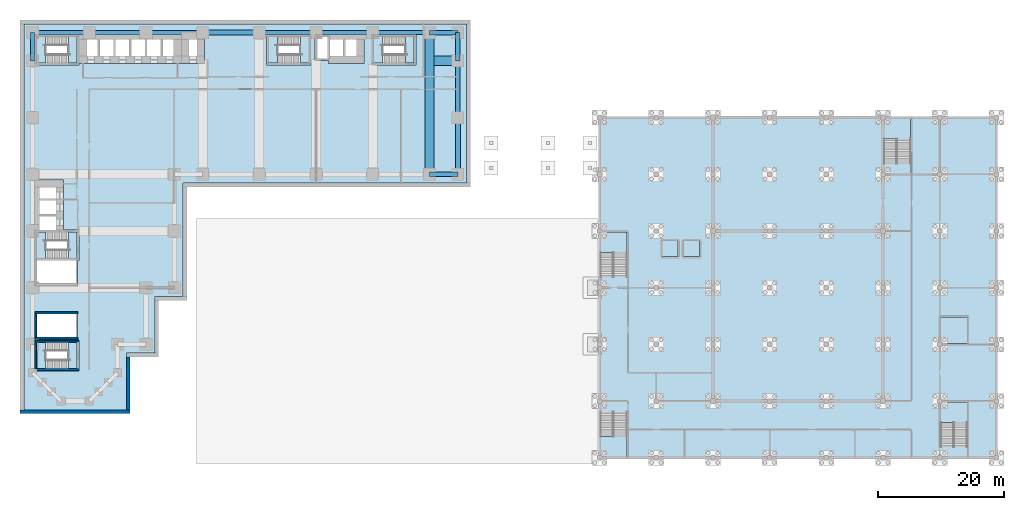
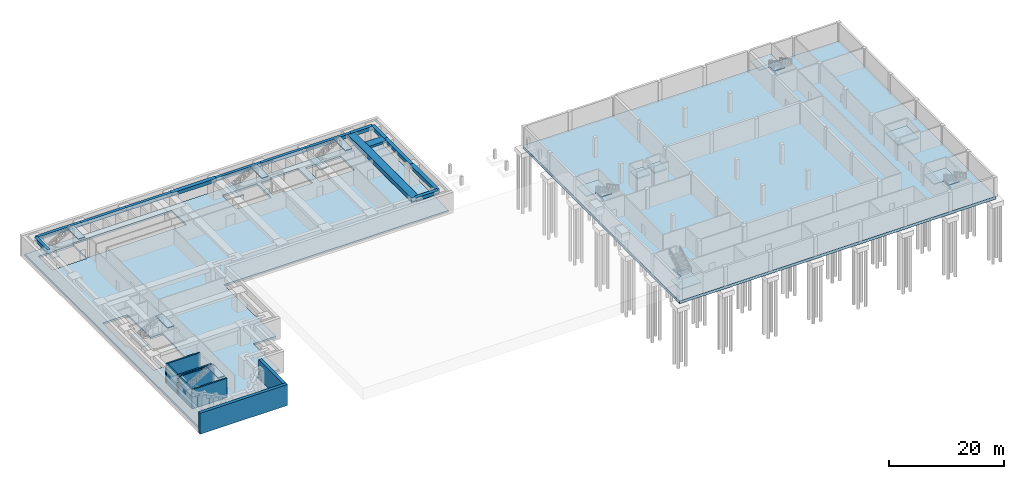
# One storey, part 3 of 12: 19 slabs, 15 beams, 8 walls, 9 elements without a shape of their own.
"""IFC4 building model written with IfcOpenShell, lengths in metres."""

from ifc_helpers import new_model, si_unit, direction, frame, frame_2d, origin, origin_2d, place, context, subcontext, project, spatial, polyline, rectangle, outline, extrude, material, layer, layer_set, material_profile, profile_set, type_object, element, aggregate, save


model = new_model("IFC4")

# Units and contexts
model_context = context("Model", 3, precision=1e-05, world=origin(), true_north=direction((0.0, 1.0)))
body_context = subcontext(model_context, "Body", "Model", "MODEL_VIEW")
ifc_project = project(units=[si_unit("LENGTHUNIT", "METRE"), si_unit("AREAUNIT", "SQUARE_METRE"), si_unit("VOLUMEUNIT", "CUBIC_METRE"), si_unit("PLANEANGLEUNIT", "RADIAN"), si_unit("MASSUNIT", "GRAM", prefix="KILO")], contexts=[model_context])

# Site, building, storey
site_placement = place(None, origin())
site = spatial("IfcSite", under=ifc_project, at=site_placement, CompositionType="ELEMENT")
building_placement = place(site_placement, origin())
building = spatial("IfcBuilding", under=site, at=building_placement, Name="Firuza Court", CompositionType="ELEMENT")
storey_placement = place(building_placement, frame((0.0, 0.0, -4.5)))
storey = spatial("IfcBuildingStorey", under=building, at=storey_placement, Name="B1", CompositionType="ELEMENT", Elevation=-4.5)

# Beams
ifc_material_1 = material(Name="Concrete C40/50", Category="concrete")
ifc_material_profile_1 = material_profile(ifc_material_1, rectangle(XDim=1.5, YDim=0.449951171875, at=origin_2d()), Name="RC 1500x450")
ifc_profile_set_1 = profile_set([ifc_material_profile_1], Name="Concrete C40/50")
beam_type_1 = type_object("IfcBeamType", Name="Band beam RC 1500x450 C40/50", PredefinedType="BEAM", material=ifc_profile_set_1)
beam_1_placement = place(storey_placement, frame((67.5, 54.0, 3.824951171875), z_axis=(-1.0, 0.0, 0.0), x_axis=(0.0, -1.0, 0.0)))
element("IfcBeam", 1, at=beam_1_placement, inside=storey, type_object=beam_type_1, Name="Band beam FB5 level L00", PredefinedType="BEAM", context=body_context, shape_type="SweptSolid", body=[
    extrude(rectangle(XDim=1.5, YDim=0.449951171875, at=origin_2d()), origin(), (0.0, 0.0, 1.0), 3.75),
])
ifc_material_2 = material(Name="Concrete C40/50", Category="concrete")
ifc_material_profile_2 = material_profile(ifc_material_2, rectangle(XDim=1.5, YDim=0.89990234375, at=origin_2d()), Name="RC 1500x900")
ifc_profile_set_2 = profile_set([ifc_material_profile_2], Name="Concrete C40/50")
beam_type_2 = type_object("IfcBeamType", Name="Band beam RC 1500x900 C40/50", PredefinedType="BEAM", material=ifc_profile_set_2)
beam_2_placement = place(storey_placement, frame((63.0, 36.0, 3.60009765625), z_axis=(0.0, 1.0, 0.0), x_axis=(-1.0, 0.0, 0.0)))
element("IfcBeam", 2, at=beam_2_placement, inside=storey, type_object=beam_type_2, Name="Band beam FB2 level L00", PredefinedType="BEAM", context=body_context, shape_type="SweptSolid", body=[
    extrude(rectangle(XDim=1.5, YDim=0.89990234375, at=origin_2d()), origin(), (0.0, 0.0, 1.0), 22.5),
])
ifc_material_3 = material(Name="Concrete C40/50", Category="concrete")
ifc_material_profile_3 = material_profile(ifc_material_3, rectangle(XDim=0.60009765625, YDim=0.75, at=origin_2d()), Name="RC 600x750")
ifc_profile_set_3 = profile_set([ifc_material_profile_3], Name="Concrete C40/50")
beam_type_3 = type_object("IfcBeamType", Name="Spandrel beam RC 600x750 C40/50", PredefinedType="BEAM", material=ifc_profile_set_3)
beam_3_placement = place(storey_placement, frame((0.0, 58.5, 3.675048828125), z_axis=(0.0, -1.0, 0.0), x_axis=(1.0, 0.0, 0.0)))
element("IfcBeam", 3, at=beam_3_placement, inside=storey, type_object=beam_type_3, Name="Spandrel beam SP4 level L00", PredefinedType="BEAM", context=body_context, shape_type="SweptSolid", body=[
    extrude(rectangle(XDim=0.60009765625, YDim=0.75, at=origin_2d()), origin(), (0.0, 0.0, 1.0), 4.5),
])
for number, where, z_axis, x_axis, name in (
    (4, (9.0, 58.5, 3.675048828125), (-1.0, 0.0, 0.0), (0.0, -1.0, 0.0), "Spandrel beam SP4 level L00"),
    (5, (18.0, 58.5, 3.675048828125), (-1.0, 0.0, 0.0), (0.0, -1.0, 0.0), "Spandrel beam SP4 level L00"),
    (6, (27.0, 58.5, 3.675048828125), (-1.0, 0.0, 0.0), (0.0, -1.0, 0.0), "Spandrel beam SP4 level L00"),
    (7, (45.0, 58.5, 3.675048828125), (-1.0, 0.0, 0.0), (0.0, -1.0, 0.0), "Spandrel beam SP4 level L00"),
    (8, (54.0, 58.5, 3.675048828125), (-1.0, 0.0, 0.0), (0.0, -1.0, 0.0), "Spandrel beam SP4 level L00"),
    (9, (63.0, 58.5, 3.675048828125), (-1.0, 0.0, 0.0), (0.0, -1.0, 0.0), "Spandrel beam SP4 level L00"),
):
    element("IfcBeam", number, at=place(storey_placement, frame(where, z_axis=z_axis, x_axis=x_axis)), inside=storey, type_object=beam_type_3, Name=name, PredefinedType="BEAM", context=body_context, shape_type="SweptSolid", body=[
        extrude(rectangle(XDim=0.60009765625, YDim=0.75, at=origin_2d()), origin(), (0.0, 0.0, 1.0), 9.0),
    ])
ifc_material_4 = material(Name="Concrete C40/50", Category="concrete")
ifc_material_profile_4 = material_profile(ifc_material_4, rectangle(XDim=0.699951171875, YDim=0.75, at=origin_2d()), Name="RC 700x750")
ifc_profile_set_4 = profile_set([ifc_material_profile_4], Name="Concrete C40/50")
beam_type_4 = type_object("IfcBeamType", Name="Spandrel beam RC 700x750 C40/50", PredefinedType="BEAM", material=ifc_profile_set_4)
beam_4_placement = place(storey_placement, frame((63.0, 36.0, 3.675048828125), z_axis=(1.0, 0.0, 0.0), x_axis=(0.0, 1.0, 0.0)))
element("IfcBeam", 10, at=beam_4_placement, inside=storey, type_object=beam_type_4, Name="Spandrel beam SP5 level L00", PredefinedType="BEAM", context=body_context, shape_type="SweptSolid", body=[
    extrude(rectangle(XDim=0.699951171875, YDim=0.75, at=origin_2d()), origin(), (0.0, 0.0, 1.0), 4.5),
])
beam_5_placement = place(storey_placement, frame((67.5, 45.0, 3.675048828125), z_axis=(0.0, 1.0, 0.0), x_axis=(-1.0, 0.0, 0.0)))
element("IfcBeam", 11, at=beam_5_placement, inside=storey, type_object=beam_type_4, Name="Spandrel beam SP5 level L00", PredefinedType="BEAM", context=body_context, shape_type="SweptSolid", body=[
    extrude(rectangle(XDim=0.699951171875, YDim=0.75, at=origin_2d()), origin(), (0.0, 0.0, 1.0), 9.0),
])
for number, where, z_axis, x_axis, name in (
    (12, (67.5, 54.0, 3.675048828125), (0.0, 1.0, 0.0), (-1.0, 0.0, 0.0), "Spandrel beam SP5 level L00"),
    (13, (67.5, 58.5, 3.675048828125), (-1.0, 0.0, 0.0), (0.0, -1.0, 0.0), "Spandrel beam SP5 level L00"),
):
    element("IfcBeam", number, at=place(storey_placement, frame(where, z_axis=z_axis, x_axis=x_axis)), inside=storey, type_object=beam_type_4, Name=name, PredefinedType="BEAM", context=body_context, shape_type="SweptSolid", body=[
        extrude(rectangle(XDim=0.699951171875, YDim=0.75, at=origin_2d()), origin(), (0.0, 0.0, 1.0), 4.5),
    ])
ifc_material_5 = material(Name="Concrete C40/50", Category="concrete")
ifc_material_profile_5 = material_profile(ifc_material_5, rectangle(XDim=0.800048828125, YDim=0.75, at=origin_2d()), Name="RC 800x750")
ifc_profile_set_5 = profile_set([ifc_material_profile_5], Name="Concrete C40/50")
beam_type_5 = type_object("IfcBeamType", Name="Spandrel beam RC 800x750 C40/50", PredefinedType="BEAM", material=ifc_profile_set_5)
for number, where, z_axis, x_axis, name in (
    (14, (36.0, 58.5, 3.675048828125), (-1.0, 0.0, 0.0), (0.0, -1.0, 0.0), "Spandrel beam SP6 level L00"),
    (15, (67.5, 36.0, 3.675048828125), (0.0, 1.0, 0.0), (-1.0, 0.0, 0.0), "Spandrel beam SP6 level L00"),
):
    element("IfcBeam", number, at=place(storey_placement, frame(where, z_axis=z_axis, x_axis=x_axis)), inside=storey, type_object=beam_type_5, Name=name, PredefinedType="BEAM", context=body_context, shape_type="SweptSolid", body=[
        extrude(rectangle(XDim=0.800048828125, YDim=0.75, at=origin_2d()), origin(), (0.0, 0.0, 1.0), 9.0),
    ])

# Slabs
ifc_material_6 = material(Name="Concrete C35/45", Category="concrete")
ifc_layer_1 = layer(ifc_material_6, 0.39990234375)
ifc_layer_set_1 = layer_set([ifc_layer_1], Name="Concrete C35/45")
slab_type_1 = type_object("IfcSlabType", Name="Basement floor slab 400", PredefinedType="FLOOR", material=ifc_layer_set_1)
slab_1_placement = place(storey_placement, frame((0.0, 0.0, -0.39990234375)))
element("IfcSlab", 16, at=slab_1_placement, inside=storey, type_object=slab_type_1, Name="B1 floor slab", PredefinedType="FLOOR", context=body_context, shape_type="SweptSolid", body=[
    extrude(outline(polyline([(-1.39990234375, -1.39990234375), (14.89990234375, -1.39990234375), (14.89990234375, 7.60009765625), (19.39990234375, 7.60009765625), (19.39990234375, 16.60009765625), (23.89990234375, 16.60009765625), (23.89990234375, 34.60009765625), (68.89990234375, 34.60009765625), (68.89990234375, 59.89990234375), (-1.39990234375, 59.89990234375), (-1.39990234375, -1.39990234375)]), holes=[polyline([(7.35009765625, 9.64990234375), (7.35009765625, 4.85009765625), (0.35009765625, 4.85009765625), (0.35009765625, 9.64990234375), (7.35009765625, 9.64990234375)]), polyline([(7.14990234375, 14.14990234375), (7.14990234375, 9.85009765625), (0.35009765625, 9.85009765625), (0.35009765625, 14.14990234375), (7.14990234375, 14.14990234375)]), polyline([(-0.10009765625, 31.39990234375), (-0.10009765625, 32.60009765625), (-0.10009765625, 35.10009765625), (4.89990234375, 35.10009765625), (4.89990234375, 32.60009765625), (4.89990234375, 31.39990234375), (4.89990234375, 30.10009765625), (4.89990234375, 28.89990234375), (4.89990234375, 27.14990234375), (7.35009765625, 27.14990234375), (7.35009765625, 22.35009765625), (7.14990234375, 22.35009765625), (7.14990234375, 18.35009765625), (0.35009765625, 18.35009765625), (0.35009765625, 22.35009765625), (0.35009765625, 22.64990234375), (0.35009765625, 26.39990234375), (0.35009765625, 26.85009765625), (0.35009765625, 27.0), (-0.10009765625, 27.0), (-0.10009765625, 28.89990234375), (-0.10009765625, 30.10009765625), (-0.10009765625, 31.39990234375)]), polyline([(7.35009765625, 58.14990234375), (7.35009765625, 53.35009765625), (0.35009765625, 53.35009765625), (0.35009765625, 58.14990234375), (7.35009765625, 58.14990234375)]), polyline([(14.89990234375, 58.60009765625), (16.10009765625, 58.60009765625), (17.39990234375, 58.60009765625), (18.60009765625, 58.60009765625), (19.89990234375, 58.60009765625), (21.10009765625, 58.60009765625), (23.60009765625, 58.60009765625), (23.60009765625, 58.60009765625), (27.300048828125, 58.60009765625), (27.300048828125, 53.60009765625), (23.60009765625, 53.60009765625), (23.60009765625, 53.60009765625), (21.10009765625, 53.60009765625), (19.89990234375, 53.60009765625), (18.60009765625, 53.60009765625), (17.39990234375, 53.60009765625), (16.10009765625, 53.60009765625), (14.89990234375, 53.60009765625), (13.60009765625, 53.60009765625), (12.39990234375, 53.60009765625), (11.10009765625, 53.60009765625), (9.89990234375, 53.60009765625), (7.39990234375, 53.60009765625), (7.39990234375, 58.60009765625), (9.89990234375, 58.60009765625), (11.10009765625, 58.60009765625), (12.39990234375, 58.60009765625), (13.60009765625, 58.60009765625), (14.89990234375, 58.60009765625)]), polyline([(44.14990234375, 58.14990234375), (44.14990234375, 53.35009765625), (37.14990234375, 53.35009765625), (37.14990234375, 58.14990234375), (44.14990234375, 58.14990234375)]), polyline([(60.85009765625, 58.14990234375), (60.85009765625, 53.35009765625), (53.85009765625, 53.35009765625), (53.85009765625, 58.14990234375), (60.85009765625, 58.14990234375)]), polyline([(52.60009765625, 58.60009765625), (52.60009765625, 53.60009765625), (50.10009765625, 53.60009765625), (48.89990234375, 53.60009765625), (47.0, 53.60009765625), (47.0, 54.050048828125), (46.39990234375, 54.050048828125), (44.85009765625, 54.050048828125), (44.85009765625, 58.14990234375), (46.39990234375, 58.14990234375), (47.0, 58.14990234375), (47.0, 58.60009765625), (48.89990234375, 58.60009765625), (50.10009765625, 58.60009765625), (52.60009765625, 58.60009765625)])]), origin(), (0.0, 0.0, 1.0), 0.39990234375),
])
ifc_material_7 = material(Name="Concrete C40/50", Category="concrete")
ifc_layer_2 = layer(ifc_material_7, 0.300048828125)
ifc_layer_set_2 = layer_set([ifc_layer_2], Name="Concrete C40/50")
slab_type_2 = type_object("IfcSlabType", Name="HALL LIFT PIT SLAB 300", PredefinedType="BASESLAB", material=ifc_layer_set_2)
slab_2_placement = place(storey_placement, frame((0.0, 0.0, 2.699951171875)))
element("IfcSlab", 17, at=slab_2_placement, inside=storey, type_object=slab_type_2, Name="Lift pit slab GL1", PredefinedType="BASESLAB", context=body_context, shape_type="SweptSolid", body=[
    extrude(outline(polyline([(148.375, 9.125), (148.375, 13.375), (144.125, 13.375), (144.125, 9.125), (148.375, 9.125)])), origin(), (0.0, 0.0, 1.0), 0.300048828125),
])
slab_3_placement = place(storey_placement, frame((0.0, 0.0, 2.699951171875)))
element("IfcSlab", 18, at=slab_3_placement, inside=storey, type_object=slab_type_2, Name="Lift pit slab PL1", PredefinedType="BASESLAB", context=body_context, shape_type="SweptSolid", body=[
    extrude(outline(polyline([(102.47509765625, 22.925048828125), (102.47509765625, 25.47509765625), (99.925048828125, 25.47509765625), (99.925048828125, 22.925048828125), (102.47509765625, 22.925048828125)])), origin(), (0.0, 0.0, 1.0), 0.300048828125),
])
slab_4_placement = place(storey_placement, frame((0.0, 0.0, 2.699951171875)))
element("IfcSlab", 19, at=slab_4_placement, inside=storey, type_object=slab_type_2, Name="Lift pit slab PL2", PredefinedType="BASESLAB", context=body_context, shape_type="SweptSolid", body=[
    extrude(outline(polyline([(105.875, 22.925048828125), (105.875, 25.47509765625), (103.324951171875, 25.47509765625), (103.324951171875, 22.925048828125), (105.875, 22.925048828125)])), origin(), (0.0, 0.0, 1.0), 0.300048828125),
])
ifc_layer_3 = layer(ifc_material_7, 0.60009765625)
ifc_layer_set_3 = layer_set([ifc_layer_3], Name="Concrete C40/50")
slab_type_3 = type_object("IfcSlabType", Name="HALL RAFT 600", PredefinedType="BASESLAB", material=ifc_layer_set_3)
slab_5_placement = place(storey_placement, frame((0.0, 0.0, -0.60009765625)))
element("IfcSlab", 20, at=slab_5_placement, inside=storey, type_object=slab_type_3, Name="Raft", PredefinedType="BASESLAB", context=body_context, shape_type="SweptSolid", body=[
    extrude(outline(polyline([(153.175048828125, -9.175048828125), (89.824951171875, -9.175048828125), (89.824951171875, 45.175048828125), (153.175048828125, 45.175048828125), (153.175048828125, -9.175048828125)])), origin(), (0.0, 0.0, 1.0), 0.60009765625),
])

# Stair, slab
ifc_material_8 = material(Name="Concrete C40/50", Category="concrete")
stair_type_1 = type_object("IfcStairType", Name="HALL STAIR", PredefinedType="NOTDEFINED", material=ifc_material_8)
stair_1_placement = place(storey_placement, origin())
stair_1 = element("IfcStair", 21, at=stair_1_placement, inside=storey, type_object=stair_type_1, Name="Stair H1 B1", PredefinedType="NOTDEFINED")
ifc_layer_4 = layer(ifc_material_7, 0.199951171875)
ifc_layer_set_4 = layer_set([ifc_layer_4], Name="Concrete C40/50")
slab_type_4 = type_object("IfcSlabType", Name="HALL STAIR LANDING 200", PredefinedType="LANDING", material=ifc_layer_set_4)
slab_6_placement = place(storey_placement, frame((0.0, 0.0, 2.050048828125)))
slab_6 = element("IfcSlab", 22, at=slab_6_placement, type_object=slab_type_4, Name="HS-1 landing 1", PredefinedType="LANDING", context=body_context, shape_type="SweptSolid", body=[
    extrude(outline(polyline([(90.125, -5.610107421875), (92.199951171875, -5.610107421875), (92.199951171875, -4.1201171875), (94.375, -4.1201171875), (94.375, -8.875), (90.125, -8.875), (90.125, -5.610107421875)])), origin(), (0.0, 0.0, 1.0), 0.199951171875),
])
aggregate(stair_1, [slab_6])

stair_2_placement = place(storey_placement, origin())
stair_2 = element("IfcStair", 23, at=stair_2_placement, inside=storey, type_object=stair_type_1, Name="Stair H2 B1", PredefinedType="NOTDEFINED")
slab_7_placement = place(storey_placement, frame((0.0, 0.0, 2.050048828125)))
slab_7 = element("IfcSlab", 24, at=slab_7_placement, type_object=slab_type_4, Name="HS-2 landing 1", PredefinedType="LANDING", context=body_context, shape_type="SweptSolid", body=[
    extrude(outline(polyline([(144.125, -3.389892578125), (146.199951171875, -3.389892578125), (146.199951171875, -4.8798828125), (148.375, -4.8798828125), (148.375, -0.125), (144.125, -0.125), (144.125, -3.389892578125)])), origin(), (0.0, 0.0, 1.0), 0.199951171875),
])
aggregate(stair_2, [slab_7])

stair_3_placement = place(storey_placement, origin())
stair_3 = element("IfcStair", 25, at=stair_3_placement, inside=storey, type_object=stair_type_1, Name="Stair H3 B1", PredefinedType="NOTDEFINED")
slab_8_placement = place(storey_placement, frame((0.0, 0.0, 2.050048828125)))
slab_8 = element("IfcSlab", 26, at=slab_8_placement, type_object=slab_type_4, Name="HS-3 landing 1", PredefinedType="LANDING", context=body_context, shape_type="SweptSolid", body=[
    extrude(outline(polyline([(90.125, 23.610107421875), (92.199951171875, 23.610107421875), (92.199951171875, 22.1201171875), (94.375, 22.1201171875), (94.375, 26.875), (90.125, 26.875), (90.125, 23.610107421875)])), origin(), (0.0, 0.0, 1.0), 0.199951171875),
])
aggregate(stair_3, [slab_8])

stair_4_placement = place(storey_placement, origin())
stair_4 = element("IfcStair", 27, at=stair_4_placement, inside=storey, type_object=stair_type_1, Name="Stair H4 B1", PredefinedType="NOTDEFINED")
slab_9_placement = place(storey_placement, frame((0.0, 0.0, 2.050048828125)))
slab_9 = element("IfcSlab", 28, at=slab_9_placement, type_object=slab_type_4, Name="HS-4 landing 1", PredefinedType="LANDING", context=body_context, shape_type="SweptSolid", body=[
    extrude(outline(polyline([(135.125, 41.610107421875), (137.199951171875, 41.610107421875), (137.199951171875, 40.1201171875), (139.375, 40.1201171875), (139.375, 44.875), (135.125, 44.875), (135.125, 41.610107421875)])), origin(), (0.0, 0.0, 1.0), 0.199951171875),
])
aggregate(stair_4, [slab_9])

# Stair, slabs
ifc_material_9 = material(Name="Concrete C40/50 precast", Category="concrete")
stair_type_2 = type_object("IfcStairType", Name="Stair 1350 x 4500 2 flights", PredefinedType="HALF_TURN_STAIR", material=ifc_material_9)
stair_5_placement = place(storey_placement, origin())
stair_5 = element("IfcStair", 29, at=stair_5_placement, inside=storey, type_object=stair_type_2, Name="Stair 1 B1", PredefinedType="HALF_TURN_STAIR")
ifc_material_10 = material(Name="Concrete C40/50 precast", Category="concrete")
ifc_layer_5 = layer(ifc_material_10, 0.199951171875)
ifc_layer_set_5 = layer_set([ifc_layer_5], Name="Concrete C40/50 precast")
slab_type_5 = type_object("IfcSlabType", Name="Stair landing 200", PredefinedType="LANDING", material=ifc_layer_set_5)
slab_10_placement = place(storey_placement, frame((0.0, 0.0, 2.050048828125)))
slab_10 = element("IfcSlab", 30, at=slab_10_placement, type_object=slab_type_5, Name="S1 landing 1", PredefinedType="LANDING", context=body_context, shape_type="SweptSolid", body=[
    extrude(outline(polyline([(38.860107421875, 53.64990234375), (38.860107421875, 57.85009765625), (37.449951171875, 57.85009765625), (37.449951171875, 53.64990234375), (38.860107421875, 53.64990234375)])), origin(), (0.0, 0.0, 1.0), 0.199951171875),
])
slab_11_placement = place(storey_placement, frame((0.0, 0.0, 4.300048828125)))
slab_11 = element("IfcSlab", 31, at=slab_11_placement, type_object=slab_type_5, Name="S1 landing 2", PredefinedType="LANDING", context=body_context, shape_type="SweptSolid", body=[
    extrude(outline(polyline([(43.85009765625, 53.64990234375), (43.85009765625, 57.85009765625), (42.5, 57.85009765625), (42.5, 53.64990234375), (43.85009765625, 53.64990234375)])), origin(), (0.0, 0.0, 1.0), 0.199951171875),
])
aggregate(stair_5, [slab_10, slab_11])

stair_6_placement = place(storey_placement, origin())
stair_6 = element("IfcStair", 32, at=stair_6_placement, inside=storey, type_object=stair_type_2, Name="Stair 2 B1", PredefinedType="HALF_TURN_STAIR")
slab_12_placement = place(storey_placement, frame((0.0, 0.0, 2.050048828125)))
slab_12 = element("IfcSlab", 33, at=slab_12_placement, type_object=slab_type_5, Name="S2 landing 1", PredefinedType="LANDING", context=body_context, shape_type="SweptSolid", body=[
    extrude(outline(polyline([(2.06005859375, 22.64990234375), (2.06005859375, 26.85009765625), (0.64990234375, 26.85009765625), (0.64990234375, 22.64990234375), (2.06005859375, 22.64990234375)])), origin(), (0.0, 0.0, 1.0), 0.199951171875),
])
slab_13_placement = place(storey_placement, frame((0.0, 0.0, 4.300048828125)))
slab_13 = element("IfcSlab", 34, at=slab_13_placement, type_object=slab_type_5, Name="S2 landing 2", PredefinedType="LANDING", context=body_context, shape_type="SweptSolid", body=[
    extrude(outline(polyline([(7.050048828125, 22.64990234375), (7.050048828125, 26.85009765625), (5.699951171875, 26.85009765625), (5.699951171875, 22.64990234375), (7.050048828125, 22.64990234375)])), origin(), (0.0, 0.0, 1.0), 0.199951171875),
])
aggregate(stair_6, [slab_12, slab_13])

stair_7_placement = place(storey_placement, origin())
stair_7 = element("IfcStair", 35, at=stair_7_placement, inside=storey, type_object=stair_type_2, Name="Stair 3 B1", PredefinedType="HALF_TURN_STAIR")
slab_14_placement = place(storey_placement, frame((0.0, 0.0, 2.050048828125)))
slab_14 = element("IfcSlab", 36, at=slab_14_placement, type_object=slab_type_5, Name="S3 landing 1", PredefinedType="LANDING", context=body_context, shape_type="SweptSolid", body=[
    extrude(outline(polyline([(2.06005859375, 53.64990234375), (2.06005859375, 57.85009765625), (0.64990234375, 57.85009765625), (0.64990234375, 53.64990234375), (2.06005859375, 53.64990234375)])), origin(), (0.0, 0.0, 1.0), 0.199951171875),
])
slab_15_placement = place(storey_placement, frame((0.0, 0.0, 4.300048828125)))
slab_15 = element("IfcSlab", 37, at=slab_15_placement, type_object=slab_type_5, Name="S3 landing 2", PredefinedType="LANDING", context=body_context, shape_type="SweptSolid", body=[
    extrude(outline(polyline([(7.050048828125, 53.64990234375), (7.050048828125, 57.85009765625), (5.699951171875, 57.85009765625), (5.699951171875, 53.64990234375), (7.050048828125, 53.64990234375)])), origin(), (0.0, 0.0, 1.0), 0.199951171875),
])
aggregate(stair_7, [slab_14, slab_15])

stair_8_placement = place(storey_placement, origin())
stair_8 = element("IfcStair", 38, at=stair_8_placement, inside=storey, type_object=stair_type_2, Name="Stair 4 B1", PredefinedType="HALF_TURN_STAIR")
slab_16_placement = place(storey_placement, frame((0.0, 0.0, 2.050048828125)))
slab_16 = element("IfcSlab", 39, at=slab_16_placement, type_object=slab_type_5, Name="S4 landing 1", PredefinedType="LANDING", context=body_context, shape_type="SweptSolid", body=[
    extrude(outline(polyline([(55.56005859375, 53.64990234375), (55.56005859375, 57.85009765625), (54.14990234375, 57.85009765625), (54.14990234375, 53.64990234375), (55.56005859375, 53.64990234375)])), origin(), (0.0, 0.0, 1.0), 0.199951171875),
])
slab_17_placement = place(storey_placement, frame((0.0, 0.0, 4.300048828125)))
slab_17 = element("IfcSlab", 40, at=slab_17_placement, type_object=slab_type_5, Name="S4 landing 2", PredefinedType="LANDING", context=body_context, shape_type="SweptSolid", body=[
    extrude(outline(polyline([(60.550048828125, 53.64990234375), (60.550048828125, 57.85009765625), (59.199951171875, 57.85009765625), (59.199951171875, 53.64990234375), (60.550048828125, 53.64990234375)])), origin(), (0.0, 0.0, 1.0), 0.199951171875),
])
aggregate(stair_8, [slab_16, slab_17])

stair_9_placement = place(storey_placement, origin())
stair_9 = element("IfcStair", 41, at=stair_9_placement, inside=storey, type_object=stair_type_2, Name="Stair 5 B1", PredefinedType="HALF_TURN_STAIR")
slab_18_placement = place(storey_placement, frame((0.0, 0.0, 2.050048828125)))
slab_18 = element("IfcSlab", 42, at=slab_18_placement, type_object=slab_type_5, Name="S5 landing 1", PredefinedType="LANDING", context=body_context, shape_type="SweptSolid", body=[
    extrude(outline(polyline([(2.06005859375, 5.14990234375), (2.06005859375, 9.35009765625), (0.64990234375, 9.35009765625), (0.64990234375, 5.14990234375), (2.06005859375, 5.14990234375)])), origin(), (0.0, 0.0, 1.0), 0.199951171875),
])
slab_19_placement = place(storey_placement, frame((0.0, 0.0, 4.300048828125)))
slab_19 = element("IfcSlab", 43, at=slab_19_placement, type_object=slab_type_5, Name="S5 landing 2", PredefinedType="LANDING", context=body_context, shape_type="SweptSolid", body=[
    extrude(outline(polyline([(7.050048828125, 5.14990234375), (7.050048828125, 9.35009765625), (5.699951171875, 9.35009765625), (5.699951171875, 5.14990234375), (7.050048828125, 5.14990234375)])), origin(), (0.0, 0.0, 1.0), 0.199951171875),
])
aggregate(stair_9, [slab_18, slab_19])

# Walls
ifc_layer_6 = layer(ifc_material_6, 0.300048828125)
ifc_layer_set_6 = layer_set([ifc_layer_6], Name="Concrete C35/45")
wall_type_1 = type_object("IfcWallType", Name="Basement core wall 300", PredefinedType="SHEAR", material=ifc_layer_set_6)
for number, where, z_axis, x_axis, name in (
    (44, (0.35009765625, 5.0, -0.39990234375), (0.0, 0.0, 1.0), (1.0, 0.0, 0.0), "Core wall B1 001"),
    (45, (0.35009765625, 9.5, -0.39990234375), (0.0, 0.0, 1.0), (1.0, 0.0, 0.0), "Core wall B1 002"),
):
    element("IfcWall", number, at=place(storey_placement, frame(where, z_axis=z_axis, x_axis=x_axis)), inside=storey, type_object=wall_type_1, Name=name, PredefinedType="SHEAR", context=body_context, shape_type="SweptSolid", body=[
        extrude(rectangle(XDim=7.0, YDim=0.300048828125, at=frame_2d((3.5, 0.0))), origin(), (0.0, 0.0, 1.0), 4.449951171875),
    ])
for number, where, z_axis, x_axis, name in (
    (46, (0.35009765625, 10.0, -0.39990234375), (0.0, 0.0, 1.0), (1.0, 0.0, 0.0), "Core wall B1 003"),
    (47, (0.35009765625, 14.0, -0.39990234375), (0.0, 0.0, 1.0), (1.0, 0.0, 0.0), "Core wall B1 004"),
):
    element("IfcWall", number, at=place(storey_placement, frame(where, z_axis=z_axis, x_axis=x_axis)), inside=storey, type_object=wall_type_1, Name=name, PredefinedType="SHEAR", context=body_context, shape_type="SweptSolid", body=[
        extrude(rectangle(XDim=6.7998046875, YDim=0.300048828125, at=frame_2d((3.39990234375, 0.0))), origin(), (0.0, 0.0, 1.0), 4.449951171875),
    ])
wall_1_placement = place(storey_placement, frame((0.5, 5.14990234375, -0.39990234375), z_axis=(0.0, 0.0, 1.0), x_axis=(0.0, 1.0, 0.0)))
element("IfcWall", 48, at=wall_1_placement, inside=storey, type_object=wall_type_1, Name="Core wall B1 027", PredefinedType="SHEAR", context=body_context, shape_type="SweptSolid", body=[
    extrude(rectangle(XDim=4.2001953125, YDim=0.300048828125, at=frame_2d((2.10009765625, 0.0))), origin(), (0.0, 0.0, 1.0), 4.449951171875),
])
wall_2_placement = place(storey_placement, frame((0.5, 10.14990234375, -0.39990234375), z_axis=(0.0, 0.0, 1.0), x_axis=(0.0, 1.0, 0.0)))
element("IfcWall", 49, at=wall_2_placement, inside=storey, type_object=wall_type_1, Name="Core wall B1 028", PredefinedType="SHEAR", context=body_context, shape_type="SweptSolid", body=[
    extrude(rectangle(XDim=3.7001953125, YDim=0.300048828125, at=frame_2d((1.85009765625, 0.0))), origin(), (0.0, 0.0, 1.0), 4.449951171875),
])
ifc_layer_7 = layer(ifc_material_6, 0.60009765625)
ifc_layer_set_7 = layer_set([ifc_layer_7], Name="Concrete C35/45")
wall_type_2 = type_object("IfcWallType", Name="Retaining wall 600", PredefinedType="SOLIDWALL", material=ifc_layer_set_7)
wall_3_placement = place(storey_placement, frame((15.199951171875, 7.0, -0.39990234375), z_axis=(0.0, 0.0, 1.0), x_axis=(0.0, -1.0, 0.0)))
element("IfcWall", 50, at=wall_3_placement, inside=storey, type_object=wall_type_2, Name="Basement retaining wall B1 09", PredefinedType="SOLIDWALL", context=body_context, shape_type="SweptSolid", body=[
    extrude(rectangle(XDim=8.39990234375, YDim=0.60009765625, at=frame_2d((4.199951171875, 0.0))), origin(), (0.0, 0.0, 1.0), 4.449951171875),
])
wall_4_placement = place(storey_placement, frame((15.5, -1.699951171875, -0.39990234375), z_axis=(0.0, 0.0, 1.0), x_axis=(-1.0, 0.0, 0.0)))
element("IfcWall", 51, at=wall_4_placement, inside=storey, type_object=wall_type_2, Name="Basement retaining wall B1 10", PredefinedType="SOLIDWALL", context=body_context, shape_type="SweptSolid", body=[
    extrude(rectangle(XDim=17.5, YDim=0.60009765625, at=frame_2d((8.75, 0.0))), origin(), (0.0, 0.0, 1.0), 4.449951171875),
])

save(model, "model.ifc")
